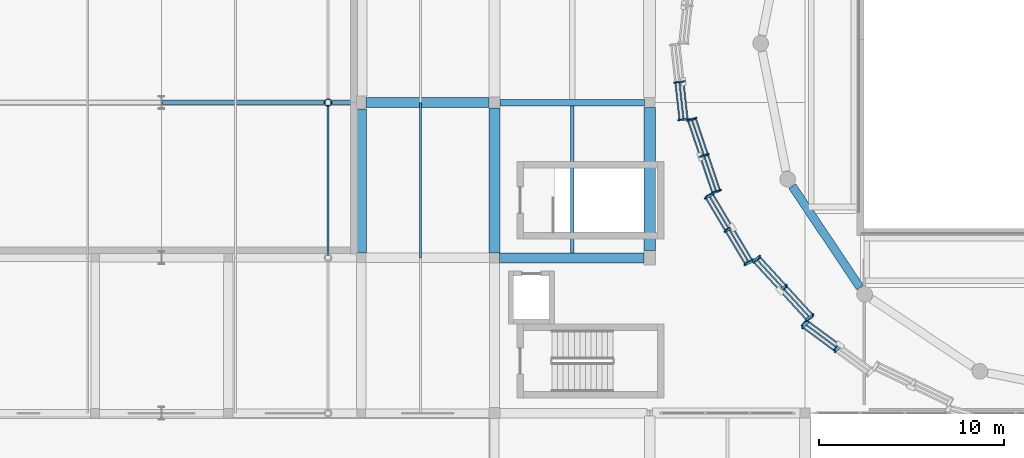
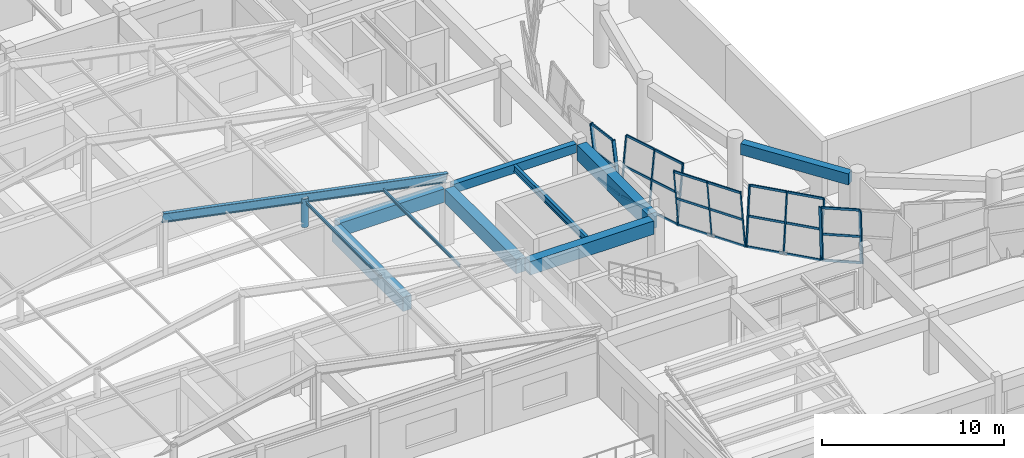
# One storey, part 12 of 74: 41 members, 8 beams, 5 elements without a shape of their own.
"""IFC4 building model written with IfcOpenShell, lengths in metres."""

from ifc_helpers import new_model, si_unit, direction, frame, origin, origin_2d, place, context, subcontext, project, spatial, rectangle, hollow_rectangle, hollow_circle, i_section, extrude, material, material_profile, profile_set, type_object, element, aggregate, save


model = new_model("IFC4")

# Units and contexts
model_context = context("Model", 3, precision=1e-05, world=origin(), true_north=direction((0.0, 1.0)))
body_context = subcontext(model_context, "Body", "Model", "MODEL_VIEW")
ifc_project = project(units=[si_unit("LENGTHUNIT", "METRE"), si_unit("AREAUNIT", "SQUARE_METRE"), si_unit("VOLUMEUNIT", "CUBIC_METRE"), si_unit("PLANEANGLEUNIT", "RADIAN"), si_unit("MASSUNIT", "GRAM", prefix="KILO")], contexts=[model_context])

# Site, building, storey
site_placement = place(None, origin())
site = spatial("IfcSite", under=ifc_project, at=site_placement, CompositionType="ELEMENT")
building_placement = place(site_placement, origin())
building = spatial("IfcBuilding", under=site, at=building_placement, Name="Korsvaeld Concert Hall", CompositionType="ELEMENT")
storey_placement = place(building_placement, frame((0.0, 0.0, 9.0)))
storey = spatial("IfcBuildingStorey", under=building, at=storey_placement, Name="L02", CompositionType="ELEMENT", Elevation=9.0)

# Beams
ifc_material_1 = material(Name="Concrete C35/45", Category="concrete")
ifc_material_profile_1 = material_profile(ifc_material_1, rectangle(XDim=0.35009765625, YDim=0.60009765625, at=origin_2d()), Name="RC 350x600")
ifc_profile_set_1 = profile_set([ifc_material_profile_1], Name="Concrete C35/45")
beam_type_1 = type_object("IfcBeamType", Name="BM-RC-350x600", PredefinedType="T_BEAM", material=ifc_profile_set_1)
beam_1_placement = place(storey_placement, frame((50.699951171875, 60.0, 3.5400390625), z_axis=(1.0, 0.0, 0.0), x_axis=(0.0, 1.0, 0.0)))
element("IfcBeam", 1, at=beam_1_placement, inside=storey, type_object=beam_type_1, Name="Primary girder 8-9/J L02", PredefinedType="T_BEAM", context=body_context, shape_type="SweptSolid", body=[
    extrude(rectangle(XDim=0.35009765625, YDim=0.60009765625, at=origin_2d()), origin(), (0.0, 0.0, 1.0), 7.824951171875),
])
ifc_material_profile_2 = material_profile(ifc_material_1, rectangle(XDim=0.449951171875, YDim=0.75, at=origin_2d()), Name="RC 450x750")
ifc_profile_set_2 = profile_set([ifc_material_profile_2], Name="Concrete C35/45")
beam_type_2 = type_object("IfcBeamType", Name="BM-RC-450x750", PredefinedType="T_BEAM", material=ifc_profile_set_2)
beam_2_placement = place(storey_placement, frame((66.511474609375, 55.478271484375, 3.465087890625), z_axis=(0.555588821765, -0.831457191399, 0.0), x_axis=(0.831457191399, 0.555588821765, 0.0)))
element("IfcBeam", 2, at=beam_2_placement, inside=storey, type_object=beam_type_2, Name="Drum ring floor girder L02 10", PredefinedType="T_BEAM", context=body_context, shape_type="SweptSolid", body=[
    extrude(rectangle(XDim=0.449951171875, YDim=0.75, at=origin_2d()), origin(), (0.0, 0.0, 1.0), 6.59130859375),
])
ifc_material_2 = material(Name="Concrete C40/50", Category="concrete")
ifc_material_profile_3 = material_profile(ifc_material_2, rectangle(XDim=0.550048828125, YDim=0.89990234375, at=origin_2d()), Name="RC 550x900")
ifc_profile_set_3 = profile_set([ifc_material_profile_3], Name="Concrete C40/50")
beam_type_3 = type_object("IfcBeamType", Name="BM-RC-550x900", PredefinedType="T_BEAM", material=ifc_profile_set_3)
beam_3_placement = place(storey_placement, frame((50.675048828125, 51.60009765625, 3.389892578125), z_axis=(1.0, 0.0, 0.0), x_axis=(0.0, 1.0, 0.0)))
element("IfcBeam", 3, at=beam_3_placement, inside=storey, type_object=beam_type_3, Name="Primary girder 8-9/H L02", PredefinedType="T_BEAM", context=body_context, shape_type="SweptSolid", body=[
    extrude(rectangle(XDim=0.550048828125, YDim=0.89990234375, at=origin_2d()), origin(), (0.0, 0.0, 1.0), 7.824951171875),
])
beam_4_placement = place(storey_placement, frame((43.449951171875, 60.0, 3.389892578125), z_axis=(1.0, 0.0, 0.0), x_axis=(0.0, 1.0, 0.0)))
element("IfcBeam", 4, at=beam_4_placement, inside=storey, type_object=beam_type_3, Name="Primary girder 7-8/J L02", PredefinedType="T_BEAM", context=body_context, shape_type="SweptSolid", body=[
    extrude(rectangle(XDim=0.550048828125, YDim=0.89990234375, at=origin_2d()), origin(), (0.0, 0.0, 1.0), 6.650146484375),
])
ifc_material_profile_4 = material_profile(ifc_material_2, rectangle(XDim=0.550048828125, YDim=0.949951171875, at=origin_2d()), Name="RC 550x950")
ifc_profile_set_4 = profile_set([ifc_material_profile_4], Name="Concrete C40/50")
beam_type_4 = type_object("IfcBeamType", Name="BM-RC-550x950", PredefinedType="T_BEAM", material=ifc_profile_set_4)
beam_5_placement = place(storey_placement, frame((43.199951171875, 51.85009765625, 3.364990234375), z_axis=(0.0, 1.0, 0.0), x_axis=(-1.0, 0.0, 0.0)))
element("IfcBeam", 5, at=beam_5_placement, inside=storey, type_object=beam_type_4, Name="Primary girder 7/H-J L02", PredefinedType="T_BEAM", context=body_context, shape_type="SweptSolid", body=[
    extrude(rectangle(XDim=0.550048828125, YDim=0.949951171875, at=origin_2d()), origin(), (0.0, 0.0, 1.0), 7.7998046875),
])
ifc_material_profile_5 = material_profile(ifc_material_2, rectangle(XDim=0.60009765625, YDim=1.050048828125, at=origin_2d()), Name="RC 600x1050")
ifc_profile_set_5 = profile_set([ifc_material_profile_5], Name="Concrete C40/50")
beam_type_5 = type_object("IfcBeamType", Name="BM-RC-600x1050", PredefinedType="T_BEAM", material=ifc_profile_set_5)
beam_6_placement = place(storey_placement, frame((58.800048828125, 52.0, 3.31494140625), z_axis=(0.0, 1.0, 0.0), x_axis=(-1.0, 0.0, 0.0)))
element("IfcBeam", 6, at=beam_6_placement, inside=storey, type_object=beam_type_5, Name="Primary girder 9/H-J L02", PredefinedType="T_BEAM", context=body_context, shape_type="SweptSolid", body=[
    extrude(rectangle(XDim=0.60009765625, YDim=1.050048828125, at=origin_2d()), origin(), (0.0, 0.0, 1.0), 7.72509765625),
])
ifc_material_profile_6 = material_profile(ifc_material_2, rectangle(XDim=0.60009765625, YDim=0.949951171875, at=origin_2d()), Name="RC 600x950")
ifc_profile_set_6 = profile_set([ifc_material_profile_6], Name="Concrete C40/50")
beam_type_6 = type_object("IfcBeamType", Name="BM-RC-600x950", PredefinedType="T_BEAM", material=ifc_profile_set_6)
beam_7_placement = place(storey_placement, frame((50.39990234375, 51.875, 3.364990234375), z_axis=(0.0, 1.0, 0.0), x_axis=(-1.0, 0.0, 0.0)))
element("IfcBeam", 7, at=beam_7_placement, inside=storey, type_object=beam_type_6, Name="Primary girder 8/H-J L02", PredefinedType="T_BEAM", context=body_context, shape_type="SweptSolid", body=[
    extrude(rectangle(XDim=0.60009765625, YDim=0.949951171875, at=origin_2d()), origin(), (0.0, 0.0, 1.0), 7.824951171875),
])
ifc_material_3 = material(Name="Steel S355J2", Category="steel")
ifc_material_profile_7 = material_profile(ifc_material_3, i_section(OverallWidth=0.18994140625, OverallDepth=0.449951171875, WebThickness=0.009521484375, FlangeThickness=0.0146484375, FilletRadius=0.02099609375, at=origin_2d()), Name="IPE 450")
ifc_profile_set_7 = profile_set([ifc_material_profile_7], Name="Steel S355J2")
beam_type_7 = type_object("IfcBeamType", Name="BM-STL-IPE450", PredefinedType="BEAM", material=ifc_profile_set_7)
beam_8_placement = place(storey_placement, frame((54.60009765625, 51.875, 3.614990234375), z_axis=(0.0, 1.0, 0.0), x_axis=(-1.0, 0.0, 0.0)))
element("IfcBeam", 8, at=beam_8_placement, inside=storey, type_object=beam_type_7, Name="Secondary steel floor beam 8-9/H L02", PredefinedType="BEAM", context=body_context, shape_type="SweptSolid", body=[
    extrude(i_section(OverallWidth=0.18994140625, OverallDepth=0.449951171875, WebThickness=0.009521484375, FlangeThickness=0.0146484375, FilletRadius=0.02099609375, at=origin_2d()), origin(), (0.0, 0.0, 1.0), 7.949951171875),
])

# Curtain wall, members
ifc_material_4 = material(Name="Anodised bronze and ceramic-fritted safety glass", Category="glass")
curtain_wall_type_1 = type_object("IfcCurtainWallType", Name="CW-TYPE-02", PredefinedType="USERDEFINED", material=ifc_material_4)
curtain_wall_1_placement = place(storey_placement, origin())
curtain_wall_1 = element("IfcCurtainWall", 9, at=curtain_wall_1_placement, inside=storey, type_object=curtain_wall_type_1, Name="Crystal curtain-wall facet L02 F18", ObjectType="CURTAIN WALL", PredefinedType="USERDEFINED")
ifc_material_5 = material(Name="Anodised architectural bronze aluminium", Category="aluminium")
ifc_material_profile_8 = material_profile(ifc_material_5, hollow_rectangle(XDim=0.074951171875, YDim=0.179931640625, WallThickness=0.0048828125, at=origin_2d()), Name="CWM 180x75x5")
ifc_profile_set_8 = profile_set([ifc_material_profile_8], Name="Anodised architectural bronze aluminium")
member_type_1 = type_object("IfcMemberType", Name="CWM-BRONZE-180x75", PredefinedType="MULLION", material=ifc_profile_set_8)
member_1_placement = place(storey_placement, frame((60.865478515625, 59.028564453125, 0.0), z_axis=(0.109222864708, 0.029759635719, 0.993571703455), x_axis=(-0.555751470455, 0.830559253027, 0.036216436851)))
member_1 = element("IfcMember", 10, at=member_1_placement, type_object=member_type_1, Name="CW-CRYS-L02-F18 crystal mullion 1", PredefinedType="MULLION", context=body_context, shape_type="SweptSolid", body=[
    extrude(hollow_rectangle(XDim=0.074951171875, YDim=0.179931640625, WallThickness=0.0048828125, at=origin_2d()), origin(), (0.0, 0.0, 1.0), 3.905029296875),
])
member_2_placement = place(storey_placement, frame((61.52490234375, 57.07568359375, 0.0), z_axis=(0.109222864708, 0.029759635719, 0.993571703455), x_axis=(-0.555751470455, 0.830559253027, 0.036216436851)))
member_2 = element("IfcMember", 11, at=member_2_placement, type_object=member_type_1, Name="CW-CRYS-L02-F18 crystal mullion 2", PredefinedType="MULLION", context=body_context, shape_type="SweptSolid", body=[
    extrude(hollow_rectangle(XDim=0.074951171875, YDim=0.179931640625, WallThickness=0.0048828125, at=origin_2d()), origin(), (0.0, 0.0, 1.0), 3.905029296875),
])
member_3_placement = place(storey_placement, frame((62.184326171875, 55.12255859375, 0.0), z_axis=(0.109222864708, 0.029759635719, 0.993571703455), x_axis=(-0.555751470455, 0.830559253027, 0.036216436851)))
member_3 = element("IfcMember", 12, at=member_3_placement, type_object=member_type_1, Name="CW-CRYS-L02-F18 crystal mullion 3", PredefinedType="MULLION", context=body_context, shape_type="SweptSolid", body=[
    extrude(hollow_rectangle(XDim=0.074951171875, YDim=0.179931640625, WallThickness=0.0048828125, at=origin_2d()), origin(), (0.0, 0.0, 1.0), 3.905029296875),
])

curtain_wall_type_2 = type_object("IfcCurtainWallType", Name="CW-TYPE-04", PredefinedType="USERDEFINED", material=ifc_material_4)
curtain_wall_2_placement = place(storey_placement, origin())
curtain_wall_2 = element("IfcCurtainWall", 13, at=curtain_wall_2_placement, inside=storey, type_object=curtain_wall_type_2, Name="Crystal curtain-wall facet L02 F20", ObjectType="CURTAIN WALL", PredefinedType="USERDEFINED")
member_4_placement = place(storey_placement, frame((64.402587890625, 51.394287109375, 0.0), z_axis=(0.091092396556, 0.067147037681, 0.993576092013), x_axis=(-0.977499972004, 0.19664090034, 0.076329293496)))
member_4 = element("IfcMember", 14, at=member_4_placement, type_object=member_type_1, Name="CW-CRYS-L02-F20 crystal mullion 1", PredefinedType="MULLION", context=body_context, shape_type="SweptSolid", body=[
    extrude(hollow_rectangle(XDim=0.074951171875, YDim=0.179931640625, WallThickness=0.0048828125, at=origin_2d()), origin(), (0.0, 0.0, 1.0), 3.905029296875),
])
member_5_placement = place(storey_placement, frame((65.8447265625, 49.815673828125, 0.0), z_axis=(0.091154397761, 0.067146655141, 0.993570431561), x_axis=(-0.977432414107, 0.196963442342, 0.076362806613)))
member_5 = element("IfcMember", 15, at=member_5_placement, type_object=member_type_1, Name="CW-CRYS-L02-F20 crystal mullion 2", PredefinedType="MULLION", context=body_context, shape_type="SweptSolid", body=[
    extrude(hollow_rectangle(XDim=0.074951171875, YDim=0.179931640625, WallThickness=0.0048828125, at=origin_2d()), origin(), (0.0, 0.0, 1.0), 3.905029296875),
])
member_6_placement = place(storey_placement, frame((67.287109375, 48.237060546875, 0.0), z_axis=(0.091092396556, 0.067147037681, 0.993576092013), x_axis=(-0.977499972004, 0.19664090034, 0.076329293496)))
member_6 = element("IfcMember", 16, at=member_6_placement, type_object=member_type_1, Name="CW-CRYS-L02-F20 crystal mullion 3", PredefinedType="MULLION", context=body_context, shape_type="SweptSolid", body=[
    extrude(hollow_rectangle(XDim=0.074951171875, YDim=0.179931640625, WallThickness=0.0048828125, at=origin_2d()), origin(), (0.0, 0.0, 1.0), 3.905029296875),
])

curtain_wall_type_3 = type_object("IfcCurtainWallType", Name="CW-TYPE-01", PredefinedType="USERDEFINED", material=ifc_material_4)
curtain_wall_3_placement = place(storey_placement, origin())
curtain_wall_3 = element("IfcCurtainWall", 17, at=curtain_wall_3_placement, inside=storey, type_object=curtain_wall_type_3, Name="Crystal curtain-wall facet L02 F17", ObjectType="CURTAIN WALL", PredefinedType="USERDEFINED")
ifc_material_profile_9 = material_profile(ifc_material_5, hollow_rectangle(XDim=0.074951171875, YDim=0.219970703125, WallThickness=0.006103515625, at=origin_2d()), Name="CWM 220x75x6")
ifc_profile_set_9 = profile_set([ifc_material_profile_9], Name="Anodised architectural bronze aluminium")
member_type_2 = type_object("IfcMemberType", Name="CWM-BRONZE-220x75", PredefinedType="MULLION", material=ifc_profile_set_9)
member_7_placement = place(storey_placement, frame((60.626708984375, 61.132080078125, 0.0), z_axis=(-0.112786203132, -0.010003210921, 0.993568924712), x_axis=(0.195690629409, -0.980588019436, 0.012341543691)))
member_7 = element("IfcMember", 18, at=member_7_placement, type_object=member_type_2, Name="CW-CRYS-L02-F17 crystal mullion 2", PredefinedType="MULLION", context=body_context, shape_type="SweptSolid", body=[
    extrude(hollow_rectangle(XDim=0.074951171875, YDim=0.219970703125, WallThickness=0.006103515625, at=origin_2d()), origin(), (0.0, 0.0, 1.0), 3.905029296875),
])
member_8_placement = place(storey_placement, frame((60.849365234375, 59.101318359375, 0.0), z_axis=(-0.112724547991, -0.009940767127, 0.993576548349), x_axis=(0.195199650678, -0.980685965358, 0.012334250043)))
member_8 = element("IfcMember", 19, at=member_8_placement, type_object=member_type_2, Name="CW-CRYS-L02-F17 crystal mullion 3", PredefinedType="MULLION", context=body_context, shape_type="SweptSolid", body=[
    extrude(hollow_rectangle(XDim=0.074951171875, YDim=0.219970703125, WallThickness=0.006103515625, at=origin_2d()), origin(), (0.0, 0.0, 1.0), 3.905029296875),
])

curtain_wall_type_4 = type_object("IfcCurtainWallType", Name="CW-TYPE-03", PredefinedType="USERDEFINED", material=ifc_material_4)
curtain_wall_4_placement = place(storey_placement, origin())
curtain_wall_4 = element("IfcCurtainWall", 20, at=curtain_wall_4_placement, inside=storey, type_object=curtain_wall_type_4, Name="Crystal curtain-wall facet L02 F19", ObjectType="CURTAIN WALL", PredefinedType="USERDEFINED")
member_9_placement = place(storey_placement, frame((62.215576171875, 55.054931640625, 0.0), z_axis=(-0.102033137454, -0.049015918973, 0.993572684079), x_axis=(0.830085566012, -0.554623769939, 0.057882872395)))
member_9 = element("IfcMember", 21, at=member_9_placement, type_object=member_type_2, Name="CW-CRYS-L02-F19 crystal mullion 1", PredefinedType="MULLION", context=body_context, shape_type="SweptSolid", body=[
    extrude(hollow_rectangle(XDim=0.074951171875, YDim=0.219970703125, WallThickness=0.006103515625, at=origin_2d()), origin(), (0.0, 0.0, 1.0), 3.905029296875),
])
member_10_placement = place(storey_placement, frame((63.286865234375, 53.25439453125, 0.0), z_axis=(-0.102033449935, -0.04895354859, 0.993575726945), x_axis=(0.829810679162, -0.555036387008, 0.057869213275)))
member_10 = element("IfcMember", 22, at=member_10_placement, type_object=member_type_2, Name="CW-CRYS-L02-F19 crystal mullion 2", PredefinedType="MULLION", context=body_context, shape_type="SweptSolid", body=[
    extrude(hollow_rectangle(XDim=0.074951171875, YDim=0.219970703125, WallThickness=0.006103515625, at=origin_2d()), origin(), (0.0, 0.0, 1.0), 3.905029296875),
])
member_11_placement = place(storey_placement, frame((64.358154296875, 51.4541015625, 0.0), z_axis=(-0.102033137454, -0.049015918973, 0.993572684079), x_axis=(0.830085566012, -0.554623769939, 0.057882872395)))
member_11 = element("IfcMember", 23, at=member_11_placement, type_object=member_type_2, Name="CW-CRYS-L02-F19 crystal mullion 3", PredefinedType="MULLION", context=body_context, shape_type="SweptSolid", body=[
    extrude(hollow_rectangle(XDim=0.074951171875, YDim=0.219970703125, WallThickness=0.006103515625, at=origin_2d()), origin(), (0.0, 0.0, 1.0), 3.905029296875),
])

curtain_wall_type_5 = type_object("IfcCurtainWallType", Name="CW-TYPE-05", PredefinedType="USERDEFINED", material=ifc_material_4)
curtain_wall_5_placement = place(storey_placement, origin())
curtain_wall_5 = element("IfcCurtainWall", 24, at=curtain_wall_5_placement, inside=storey, type_object=curtain_wall_type_5, Name="Crystal curtain-wall facet L02 F21", ObjectType="CURTAIN WALL", PredefinedType="USERDEFINED")
member_12_placement = place(storey_placement, frame((67.342529296875, 48.18701171875, 0.0), z_axis=(-0.076399398433, -0.083589194521, 0.993567299421), x_axis=(0.977549491387, 0.189970185789, 0.091149988477)))
member_12 = element("IfcMember", 25, at=member_12_placement, type_object=member_type_2, Name="CW-CRYS-L02-F21 crystal mullion 1", PredefinedType="MULLION", context=body_context, shape_type="SweptSolid", body=[
    extrude(hollow_rectangle(XDim=0.074951171875, YDim=0.219970703125, WallThickness=0.006103515625, at=origin_2d()), origin(), (0.0, 0.0, 1.0), 3.905029296875),
])
member_13_placement = place(storey_placement, frame((69.100341796875, 46.89111328125, 0.0), z_axis=(-0.076337242942, -0.083589593623, 0.993572043275), x_axis=(0.97747454033, 0.190371504957, 0.091116480989)))
member_13 = element("IfcMember", 26, at=member_13_placement, type_object=member_type_2, Name="CW-CRYS-L02-F21 crystal mullion 2", PredefinedType="MULLION", context=body_context, shape_type="SweptSolid", body=[
    extrude(hollow_rectangle(XDim=0.074951171875, YDim=0.219970703125, WallThickness=0.006103515625, at=origin_2d()), origin(), (0.0, 0.0, 1.0), 3.905029296875),
])

# Member
ifc_material_profile_10 = material_profile(ifc_material_5, hollow_rectangle(XDim=0.074951171875, YDim=0.14990234375, WallThickness=0.0048828125, at=origin_2d()), Name="CWT 150x75x5")
ifc_profile_set_10 = profile_set([ifc_material_profile_10], Name="Anodised architectural bronze aluminium")
member_type_3 = type_object("IfcMemberType", Name="CWT-BRONZE-150x75", PredefinedType="USERDEFINED", material=ifc_profile_set_10)
member_14_placement = place(storey_placement, frame((60.62744140625, 61.094482421875, 0.030029296875), z_axis=(0.10905607732, -0.99403559896, 0.0), x_axis=(0.99403559896, 0.10905607732, 0.0)))
member_14 = element("IfcMember", 27, at=member_14_placement, type_object=member_type_3, Name="CW-CRYS-L02-F17 crystal transom 2.1", ObjectType="TRANSOM", PredefinedType="USERDEFINED", context=body_context, shape_type="SweptSolid", body=[
    extrude(hollow_rectangle(XDim=0.074951171875, YDim=0.14990234375, WallThickness=0.0048828125, at=origin_2d()), origin(), (0.0, 0.0, 1.0), 1.9677734375),
])

member_15_placement = place(storey_placement, frame((60.41064453125, 61.0751953125, 1.93994140625), z_axis=(0.10905607732, -0.99403559896, 0.0), x_axis=(0.99403559896, 0.10905607732, 0.0)))
member_15 = element("IfcMember", 28, at=member_15_placement, type_object=member_type_3, Name="CW-CRYS-L02-F17 crystal transom 2.2", ObjectType="TRANSOM", PredefinedType="USERDEFINED", context=body_context, shape_type="SweptSolid", body=[
    extrude(hollow_rectangle(XDim=0.074951171875, YDim=0.14990234375, WallThickness=0.0048828125, at=origin_2d()), origin(), (0.0, 0.0, 1.0), 1.9677734375),
])

member_16_placement = place(storey_placement, frame((60.19384765625, 61.05615234375, 3.85009765625), z_axis=(0.10905607732, -0.99403559896, 0.0), x_axis=(0.99403559896, 0.10905607732, 0.0)))
member_16 = element("IfcMember", 29, at=member_16_placement, type_object=member_type_3, Name="CW-CRYS-L02-F17 crystal transom 2.3", ObjectType="TRANSOM", PredefinedType="USERDEFINED", context=body_context, shape_type="SweptSolid", body=[
    extrude(hollow_rectangle(XDim=0.074951171875, YDim=0.14990234375, WallThickness=0.0048828125, at=origin_2d()), origin(), (0.0, 0.0, 1.0), 1.9677734375),
])

aggregate(curtain_wall_3, [member_7, member_8, member_14, member_15, member_16])

member_17_placement = place(storey_placement, frame((60.880859375, 58.993896484375, 0.030029296875), z_axis=(0.319949676143, -0.947434538497, 0.0), x_axis=(0.947434538497, 0.319949676143, 0.0)))
member_17 = element("IfcMember", 30, at=member_17_placement, type_object=member_type_3, Name="CW-CRYS-L02-F18 crystal transom 1.1", ObjectType="TRANSOM", PredefinedType="USERDEFINED", context=body_context, shape_type="SweptSolid", body=[
    extrude(hollow_rectangle(XDim=0.074951171875, YDim=0.14990234375, WallThickness=0.0048828125, at=origin_2d()), origin(), (0.0, 0.0, 1.0), 1.986328125),
])

member_18_placement = place(storey_placement, frame((61.0908203125, 59.05126953125, 1.93994140625), z_axis=(0.319912420616, -0.947447118912, 0.0), x_axis=(0.947447118912, 0.319912420616, 0.0)))
member_18 = element("IfcMember", 31, at=member_18_placement, type_object=member_type_3, Name="CW-CRYS-L02-F18 crystal transom 1.2", ObjectType="TRANSOM", PredefinedType="USERDEFINED", context=body_context, shape_type="SweptSolid", body=[
    extrude(hollow_rectangle(XDim=0.074951171875, YDim=0.14990234375, WallThickness=0.0048828125, at=origin_2d()), origin(), (0.0, 0.0, 1.0), 1.986572265625),
])

member_19_placement = place(storey_placement, frame((61.30078125, 59.1083984375, 3.85009765625), z_axis=(0.319949676143, -0.947434538497, 0.0), x_axis=(0.947434538497, 0.319949676143, 0.0)))
member_19 = element("IfcMember", 32, at=member_19_placement, type_object=member_type_3, Name="CW-CRYS-L02-F18 crystal transom 1.3", ObjectType="TRANSOM", PredefinedType="USERDEFINED", context=body_context, shape_type="SweptSolid", body=[
    extrude(hollow_rectangle(XDim=0.074951171875, YDim=0.14990234375, WallThickness=0.0048828125, at=origin_2d()), origin(), (0.0, 0.0, 1.0), 1.986328125),
])

member_20_placement = place(storey_placement, frame((61.540283203125, 57.041015625, 0.030029296875), z_axis=(0.319949676143, -0.947434538497, 0.0), x_axis=(0.947434538497, 0.319949676143, 0.0)))
member_20 = element("IfcMember", 33, at=member_20_placement, type_object=member_type_3, Name="CW-CRYS-L02-F18 crystal transom 2.1", ObjectType="TRANSOM", PredefinedType="USERDEFINED", context=body_context, shape_type="SweptSolid", body=[
    extrude(hollow_rectangle(XDim=0.074951171875, YDim=0.14990234375, WallThickness=0.0048828125, at=origin_2d()), origin(), (0.0, 0.0, 1.0), 1.986328125),
])

member_21_placement = place(storey_placement, frame((61.750244140625, 57.09814453125, 1.93994140625), z_axis=(0.319949676143, -0.947434538497, 0.0), x_axis=(0.947434538497, 0.319949676143, 0.0)))
member_21 = element("IfcMember", 34, at=member_21_placement, type_object=member_type_3, Name="CW-CRYS-L02-F18 crystal transom 2.2", ObjectType="TRANSOM", PredefinedType="USERDEFINED", context=body_context, shape_type="SweptSolid", body=[
    extrude(hollow_rectangle(XDim=0.074951171875, YDim=0.14990234375, WallThickness=0.0048828125, at=origin_2d()), origin(), (0.0, 0.0, 1.0), 1.986328125),
])

member_22_placement = place(storey_placement, frame((61.960205078125, 57.155517578125, 3.85009765625), z_axis=(0.319912420616, -0.947447118912, 0.0), x_axis=(0.947447118912, 0.319912420616, 0.0)))
member_22 = element("IfcMember", 35, at=member_22_placement, type_object=member_type_3, Name="CW-CRYS-L02-F18 crystal transom 2.3", ObjectType="TRANSOM", PredefinedType="USERDEFINED", context=body_context, shape_type="SweptSolid", body=[
    extrude(hollow_rectangle(XDim=0.074951171875, YDim=0.14990234375, WallThickness=0.0048828125, at=origin_2d()), origin(), (0.0, 0.0, 1.0), 1.986572265625),
])

aggregate(curtain_wall_1, [member_1, member_2, member_3, member_17, member_18, member_19, member_20, member_21, member_22])

member_23_placement = place(storey_placement, frame((62.231689453125, 55.021240234375, 0.030029296875), z_axis=(0.511328750939, -0.859385192136, 0.0), x_axis=(0.859385192136, 0.511328750939, 0.0)))
member_23 = element("IfcMember", 36, at=member_23_placement, type_object=member_type_3, Name="CW-CRYS-L02-F19 crystal transom 1.1", ObjectType="TRANSOM", PredefinedType="USERDEFINED", context=body_context, shape_type="SweptSolid", body=[
    extrude(hollow_rectangle(XDim=0.074951171875, YDim=0.14990234375, WallThickness=0.0048828125, at=origin_2d()), origin(), (0.0, 0.0, 1.0), 2.020263671875),
])

member_24_placement = place(storey_placement, frame((62.035400390625, 54.927001953125, 1.93994140625), z_axis=(0.511381861684, -0.859353589357, 0.0), x_axis=(0.859353589357, 0.511381861684, 0.0)))
member_24 = element("IfcMember", 37, at=member_24_placement, type_object=member_type_3, Name="CW-CRYS-L02-F19 crystal transom 1.2", ObjectType="TRANSOM", PredefinedType="USERDEFINED", context=body_context, shape_type="SweptSolid", body=[
    extrude(hollow_rectangle(XDim=0.074951171875, YDim=0.14990234375, WallThickness=0.0048828125, at=origin_2d()), origin(), (0.0, 0.0, 1.0), 2.02001953125),
])

member_25_placement = place(storey_placement, frame((61.83935546875, 54.832763671875, 3.85009765625), z_axis=(0.511381861684, -0.859353589357, 0.0), x_axis=(0.859353589357, 0.511381861684, 0.0)))
member_25 = element("IfcMember", 38, at=member_25_placement, type_object=member_type_3, Name="CW-CRYS-L02-F19 crystal transom 1.3", ObjectType="TRANSOM", PredefinedType="USERDEFINED", context=body_context, shape_type="SweptSolid", body=[
    extrude(hollow_rectangle(XDim=0.074951171875, YDim=0.14990234375, WallThickness=0.0048828125, at=origin_2d()), origin(), (0.0, 0.0, 1.0), 2.02001953125),
])

member_26_placement = place(storey_placement, frame((63.302978515625, 53.220703125, 0.030029296875), z_axis=(0.511381861684, -0.859353589357, 0.0), x_axis=(0.859353589357, 0.511381861684, 0.0)))
member_26 = element("IfcMember", 39, at=member_26_placement, type_object=member_type_3, Name="CW-CRYS-L02-F19 crystal transom 2.1", ObjectType="TRANSOM", PredefinedType="USERDEFINED", context=body_context, shape_type="SweptSolid", body=[
    extrude(hollow_rectangle(XDim=0.074951171875, YDim=0.14990234375, WallThickness=0.0048828125, at=origin_2d()), origin(), (0.0, 0.0, 1.0), 2.02001953125),
])

member_27_placement = place(storey_placement, frame((63.106689453125, 53.126708984375, 1.93994140625), z_axis=(0.511328750939, -0.859385192136, 0.0), x_axis=(0.859385192136, 0.511328750939, 0.0)))
member_27 = element("IfcMember", 40, at=member_27_placement, type_object=member_type_3, Name="CW-CRYS-L02-F19 crystal transom 2.2", ObjectType="TRANSOM", PredefinedType="USERDEFINED", context=body_context, shape_type="SweptSolid", body=[
    extrude(hollow_rectangle(XDim=0.074951171875, YDim=0.14990234375, WallThickness=0.0048828125, at=origin_2d()), origin(), (0.0, 0.0, 1.0), 2.020263671875),
])

member_28_placement = place(storey_placement, frame((62.91064453125, 53.032470703125, 3.85009765625), z_axis=(0.511328750939, -0.859385192136, 0.0), x_axis=(0.859385192136, 0.511328750939, 0.0)))
member_28 = element("IfcMember", 41, at=member_28_placement, type_object=member_type_3, Name="CW-CRYS-L02-F19 crystal transom 2.3", ObjectType="TRANSOM", PredefinedType="USERDEFINED", context=body_context, shape_type="SweptSolid", body=[
    extrude(hollow_rectangle(XDim=0.074951171875, YDim=0.14990234375, WallThickness=0.0048828125, at=origin_2d()), origin(), (0.0, 0.0, 1.0), 2.020263671875),
])

aggregate(curtain_wall_4, [member_9, member_10, member_11, member_23, member_24, member_25, member_26, member_27, member_28])

member_29_placement = place(storey_placement, frame((64.4306640625, 51.36865234375, 0.030029296875), z_axis=(0.674437681465, -0.738331777604, 0.0), x_axis=(0.738331777604, 0.674437681465, 0.0)))
member_29 = element("IfcMember", 42, at=member_29_placement, type_object=member_type_3, Name="CW-CRYS-L02-F20 crystal transom 1.1", ObjectType="TRANSOM", PredefinedType="USERDEFINED", context=body_context, shape_type="SweptSolid", body=[
    extrude(hollow_rectangle(XDim=0.074951171875, YDim=0.14990234375, WallThickness=0.0048828125, at=origin_2d()), origin(), (0.0, 0.0, 1.0), 2.063232421875),
])

member_30_placement = place(storey_placement, frame((64.605712890625, 51.497802734375, 1.93994140625), z_axis=(0.674437681465, -0.738331777604, 0.0), x_axis=(0.738331777604, 0.674437681465, 0.0)))
member_30 = element("IfcMember", 43, at=member_30_placement, type_object=member_type_3, Name="CW-CRYS-L02-F20 crystal transom 1.2", ObjectType="TRANSOM", PredefinedType="USERDEFINED", context=body_context, shape_type="SweptSolid", body=[
    extrude(hollow_rectangle(XDim=0.074951171875, YDim=0.14990234375, WallThickness=0.0048828125, at=origin_2d()), origin(), (0.0, 0.0, 1.0), 2.063232421875),
])

member_31_placement = place(storey_placement, frame((64.781005859375, 51.626708984375, 3.85009765625), z_axis=(0.674496604142, -0.738277949692, 0.0), x_axis=(0.738277949692, 0.674496604142, 0.0)))
member_31 = element("IfcMember", 44, at=member_31_placement, type_object=member_type_3, Name="CW-CRYS-L02-F20 crystal transom 1.3", ObjectType="TRANSOM", PredefinedType="USERDEFINED", context=body_context, shape_type="SweptSolid", body=[
    extrude(hollow_rectangle(XDim=0.074951171875, YDim=0.14990234375, WallThickness=0.0048828125, at=origin_2d()), origin(), (0.0, 0.0, 1.0), 2.063232421875),
])

member_32_placement = place(storey_placement, frame((65.872802734375, 49.7900390625, 0.030029296875), z_axis=(0.674437681465, -0.738331777604, 0.0), x_axis=(0.738331777604, 0.674437681465, 0.0)))
member_32 = element("IfcMember", 45, at=member_32_placement, type_object=member_type_3, Name="CW-CRYS-L02-F20 crystal transom 2.1", ObjectType="TRANSOM", PredefinedType="USERDEFINED", context=body_context, shape_type="SweptSolid", body=[
    extrude(hollow_rectangle(XDim=0.074951171875, YDim=0.14990234375, WallThickness=0.0048828125, at=origin_2d()), origin(), (0.0, 0.0, 1.0), 2.063232421875),
])

member_33_placement = place(storey_placement, frame((66.048095703125, 49.919189453125, 1.93994140625), z_axis=(0.674437681465, -0.738331777604, 0.0), x_axis=(0.738331777604, 0.674437681465, 0.0)))
member_33 = element("IfcMember", 46, at=member_33_placement, type_object=member_type_3, Name="CW-CRYS-L02-F20 crystal transom 2.2", ObjectType="TRANSOM", PredefinedType="USERDEFINED", context=body_context, shape_type="SweptSolid", body=[
    extrude(hollow_rectangle(XDim=0.074951171875, YDim=0.14990234375, WallThickness=0.0048828125, at=origin_2d()), origin(), (0.0, 0.0, 1.0), 2.063232421875),
])

member_34_placement = place(storey_placement, frame((66.22314453125, 50.048095703125, 3.85009765625), z_axis=(0.674496604142, -0.738277949692, 0.0), x_axis=(0.738277949692, 0.674496604142, 0.0)))
member_34 = element("IfcMember", 47, at=member_34_placement, type_object=member_type_3, Name="CW-CRYS-L02-F20 crystal transom 2.3", ObjectType="TRANSOM", PredefinedType="USERDEFINED", context=body_context, shape_type="SweptSolid", body=[
    extrude(hollow_rectangle(XDim=0.074951171875, YDim=0.14990234375, WallThickness=0.0048828125, at=origin_2d()), origin(), (0.0, 0.0, 1.0), 2.063232421875),
])

aggregate(curtain_wall_2, [member_4, member_5, member_6, member_29, member_30, member_31, member_32, member_33, member_34])

member_35_placement = place(storey_placement, frame((67.370361328125, 48.162353515625, 0.030029296875), z_axis=(0.804904507896, -0.593404358906, 0.0), x_axis=(0.593404358906, 0.804904507896, 0.0)))
member_35 = element("IfcMember", 48, at=member_35_placement, type_object=member_type_3, Name="CW-CRYS-L02-F21 crystal transom 1.1", ObjectType="TRANSOM", PredefinedType="USERDEFINED", context=body_context, shape_type="SweptSolid", body=[
    extrude(hollow_rectangle(XDim=0.074951171875, YDim=0.14990234375, WallThickness=0.0048828125, at=origin_2d()), origin(), (0.0, 0.0, 1.0), 2.10888671875),
])

member_36_placement = place(storey_placement, frame((67.2236328125, 48.001708984375, 1.93994140625), z_axis=(0.804849215574, -0.593479351107, 0.0), x_axis=(0.593479351107, 0.804849215574, 0.0)))
member_36 = element("IfcMember", 49, at=member_36_placement, type_object=member_type_3, Name="CW-CRYS-L02-F21 crystal transom 1.2", ObjectType="TRANSOM", PredefinedType="USERDEFINED", context=body_context, shape_type="SweptSolid", body=[
    extrude(hollow_rectangle(XDim=0.074951171875, YDim=0.14990234375, WallThickness=0.0048828125, at=origin_2d()), origin(), (0.0, 0.0, 1.0), 2.109130859375),
])

member_37_placement = place(storey_placement, frame((67.076904296875, 47.8408203125, 3.85009765625), z_axis=(0.804904507896, -0.593404358906, 0.0), x_axis=(0.593404358906, 0.804904507896, 0.0)))
member_37 = element("IfcMember", 50, at=member_37_placement, type_object=member_type_3, Name="CW-CRYS-L02-F21 crystal transom 1.3", ObjectType="TRANSOM", PredefinedType="USERDEFINED", context=body_context, shape_type="SweptSolid", body=[
    extrude(hollow_rectangle(XDim=0.074951171875, YDim=0.14990234375, WallThickness=0.0048828125, at=origin_2d()), origin(), (0.0, 0.0, 1.0), 2.10888671875),
])

aggregate(curtain_wall_5, [member_12, member_13, member_35, member_36, member_37])

# Members
ifc_material_profile_11 = material_profile(ifc_material_3, i_section(OverallWidth=0.10009765625, OverallDepth=0.199951171875, WebThickness=0.005615234375, FlangeThickness=0.008544921875, FilletRadius=0.011962890625, at=origin_2d()), Name="IPE 200")
ifc_profile_set_11 = profile_set([ifc_material_profile_11], Name="Steel S355J2")
member_type_4 = type_object("IfcMemberType", Name="MEM-PUR-IPE200", PredefinedType="PURLIN", material=ifc_profile_set_11)
for number, where, z_axis, x_axis, name in (
    (51, (41.39990234375, 51.60009765625, 5.89990234375), (0.0, 1.0, 0.0), (-1.0, 0.0, 0.0), "Orchestra Rehearsal roof purlin 41.2"),
    (52, (46.39990234375, 51.60009765625, 4.89990234375), (0.0, 1.0, 0.0), (-1.0, 0.0, 0.0), "Orchestra Rehearsal roof purlin 46.2"),
):
    element("IfcMember", number, at=place(storey_placement, frame(where, z_axis=z_axis, x_axis=x_axis)), inside=storey, type_object=member_type_4, Name=name, PredefinedType="PURLIN", context=body_context, shape_type="SweptSolid", body=[
        extrude(i_section(OverallWidth=0.10009765625, OverallDepth=0.199951171875, WebThickness=0.005615234375, FlangeThickness=0.008544921875, FilletRadius=0.011962890625, at=origin_2d()), origin(), (0.0, 0.0, 1.0), 8.39990234375),
    ])
ifc_material_profile_12 = material_profile(ifc_material_3, i_section(OverallWidth=0.219970703125, OverallDepth=0.60009765625, WebThickness=0.011962890625, FlangeThickness=0.01904296875, FilletRadius=0.02392578125, at=origin_2d()), Name="IPE 600")
ifc_profile_set_12 = profile_set([ifc_material_profile_12], Name="Steel S355J2")
member_type_5 = type_object("IfcMemberType", Name="MEM-RAF-IPE600", PredefinedType="RAFTER", material=ifc_profile_set_12)
member_38_placement = place(storey_placement, frame((50.39990234375, 60.0, 4.35009765625), z_axis=(-0.980582210276, 0.0, 0.196108462057), x_axis=(0.0, -1.0, 0.0)))
element("IfcMember", 53, at=member_38_placement, inside=storey, type_object=member_type_5, Name="Orchestra Rehearsal east rafter 3", PredefinedType="RAFTER", context=body_context, shape_type="SweptSolid", body=[
    extrude(i_section(OverallWidth=0.219970703125, OverallDepth=0.60009765625, WebThickness=0.011962890625, FlangeThickness=0.01904296875, FilletRadius=0.02392578125, at=origin_2d()), origin(), (0.0, 0.0, 1.0), 18.3564453125),
])
ifc_material_profile_13 = material_profile(ifc_material_3, hollow_circle(Radius=0.203125, WallThickness=0.01611328125, at=origin_2d()), Name="CHS 406.4x16")
ifc_profile_set_13 = profile_set([ifc_material_profile_13], Name="Steel S355J2")
member_type_6 = type_object("IfcMemberType", Name="MEM-STR-CHS406", PredefinedType="STRUT", material=ifc_profile_set_13)
member_39_placement = place(storey_placement, frame((41.39990234375, 60.0, 4.25), z_axis=(0.0, 0.0, 1.0), x_axis=(1.0, 0.0, 0.0)))
element("IfcMember", 54, at=member_39_placement, inside=storey, type_object=member_type_6, Name="Orchestra Rehearsal truss web 3.41", PredefinedType="STRUT", context=body_context, shape_type="SweptSolid", body=[
    extrude(hollow_circle(Radius=0.203125, WallThickness=0.01611328125, at=origin_2d()), origin(), (0.0, 0.0, 1.0), 1.89990234375),
])

save(model, "model.ifc")
